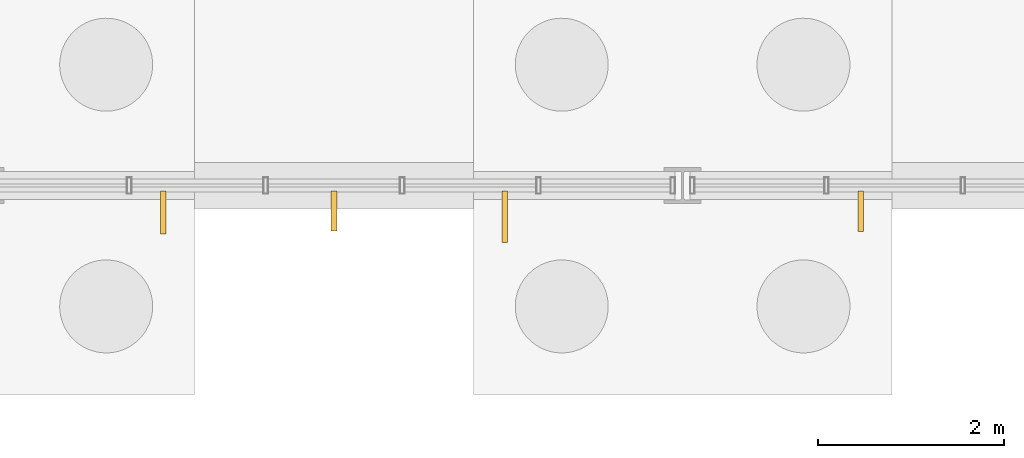
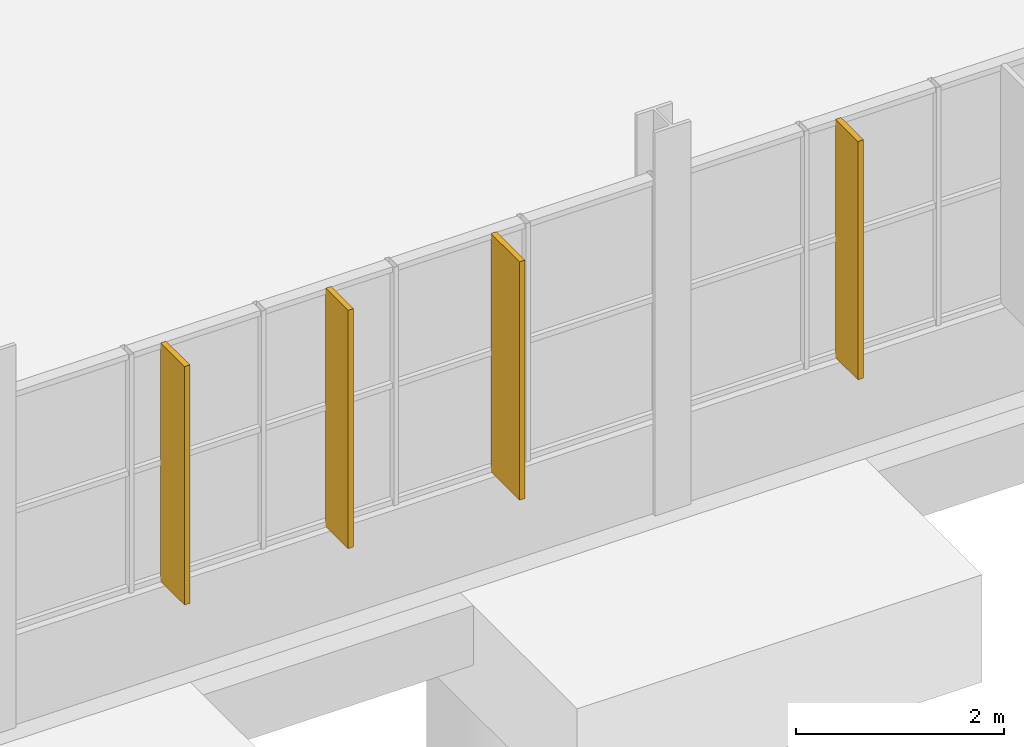
# One storey, part 125 of 136: 4 coverings.
"""IFC4 building model written with IfcOpenShell, lengths in metres."""

from ifc_helpers import new_model, si_unit, direction, frame, origin, origin_2d, place, context, subcontext, project, spatial, rectangle, extrude, material, layer, layer_set, type_object, element, save


model = new_model("IFC4")

# Units and contexts
model_context = context("Model", 3, precision=1e-05, world=origin(), true_north=direction((0.0, 1.0)))
body_context = subcontext(model_context, "Body", "Model", "MODEL_VIEW")
ifc_project = project(units=[si_unit("LENGTHUNIT", "METRE"), si_unit("AREAUNIT", "SQUARE_METRE"), si_unit("VOLUMEUNIT", "CUBIC_METRE"), si_unit("PLANEANGLEUNIT", "RADIAN"), si_unit("MASSUNIT", "GRAM", prefix="KILO")], contexts=[model_context])

# Site, building, storey
site_placement = place(None, origin())
site = spatial("IfcSite", under=ifc_project, at=site_placement, CompositionType="ELEMENT")
building_placement = place(site_placement, origin())
building = spatial("IfcBuilding", under=site, at=building_placement, Name="Solvenia Promenade Tram Depot", CompositionType="ELEMENT")
storey_placement = place(building_placement, origin())
storey = spatial("IfcBuildingStorey", under=building, at=storey_placement, Name="L00", CompositionType="ELEMENT", Elevation=0.0)

# Coverings
ifc_material = material(Name="Anodized aluminium AW-6063 T6", Category="aluminium")
ifc_layer = layer(ifc_material, 0.06005859375, Name="Anodized aluminium AW-6063 T6", Category="aluminium")
ifc_layer_set = layer_set([ifc_layer], Name="Anodized aluminium AW-6063 T6")
covering_type = type_object("IfcCoveringType", Name="Fin-Param-560", PredefinedType="CLADDING", material=ifc_layer_set)
covering_1_placement = place(storey_placement, frame((54.4150390625, 65.70947265625, 1.0498046875), z_axis=(0.0, 0.0, 1.0), x_axis=(1.0, 0.0, 0.0)))
element("IfcCovering", 1, at=covering_1_placement, inside=storey, type_object=covering_type, Name="Parametric Vertical Brise-Soleil Fin 104", PredefinedType="CLADDING", context=body_context, shape_type="SweptSolid", body=[
    extrude(rectangle(XDim=0.06005859375, YDim=0.4609375, at=origin_2d()), origin(), (0.0, 0.0, 1.0), 2.800048828125),
])
covering_2_placement = place(storey_placement, frame((56.25, 65.724609375, 1.0498046875), z_axis=(0.0, 0.0, 1.0), x_axis=(1.0, 0.0, 0.0)))
element("IfcCovering", 2, at=covering_2_placement, inside=storey, type_object=covering_type, Name="Parametric Vertical Brise-Soleil Fin 105", PredefinedType="CLADDING", context=body_context, shape_type="SweptSolid", body=[
    extrude(rectangle(XDim=0.06005859375, YDim=0.430908203125, at=origin_2d()), origin(), (0.0, 0.0, 1.0), 2.800048828125),
])
covering_3_placement = place(storey_placement, frame((58.0849609375, 65.6640625, 1.0498046875), z_axis=(0.0, 0.0, 1.0), x_axis=(1.0, 0.0, 0.0)))
element("IfcCovering", 3, at=covering_3_placement, inside=storey, type_object=covering_type, Name="Parametric Vertical Brise-Soleil Fin 106", PredefinedType="CLADDING", context=body_context, shape_type="SweptSolid", body=[
    extrude(rectangle(XDim=0.06005859375, YDim=0.552001953125, at=origin_2d()), origin(), (0.0, 0.0, 1.0), 2.800048828125),
])
covering_4_placement = place(storey_placement, frame((61.9150390625, 65.72412109375, 1.0498046875), z_axis=(0.0, 0.0, 1.0), x_axis=(1.0, 0.0, 0.0)))
element("IfcCovering", 4, at=covering_4_placement, inside=storey, type_object=covering_type, Name="Parametric Vertical Brise-Soleil Fin 110", PredefinedType="CLADDING", context=body_context, shape_type="SweptSolid", body=[
    extrude(rectangle(XDim=0.06005859375, YDim=0.431884765625, at=origin_2d()), origin(), (0.0, 0.0, 1.0), 2.800048828125),
])

save(model, "model.ifc")
